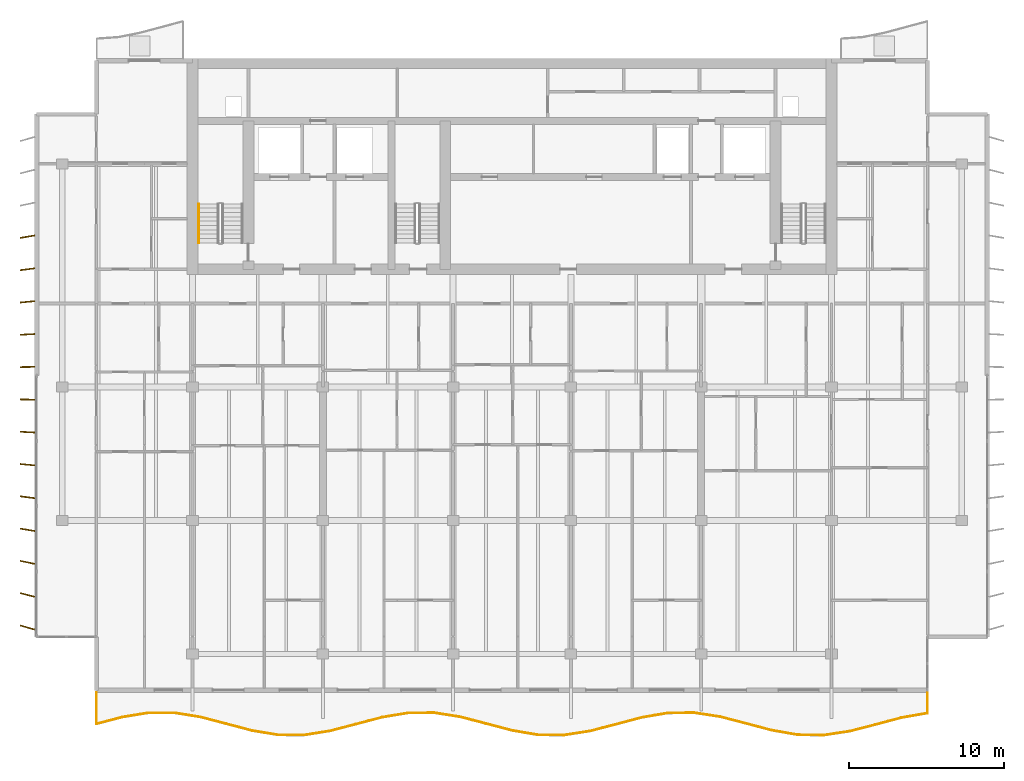
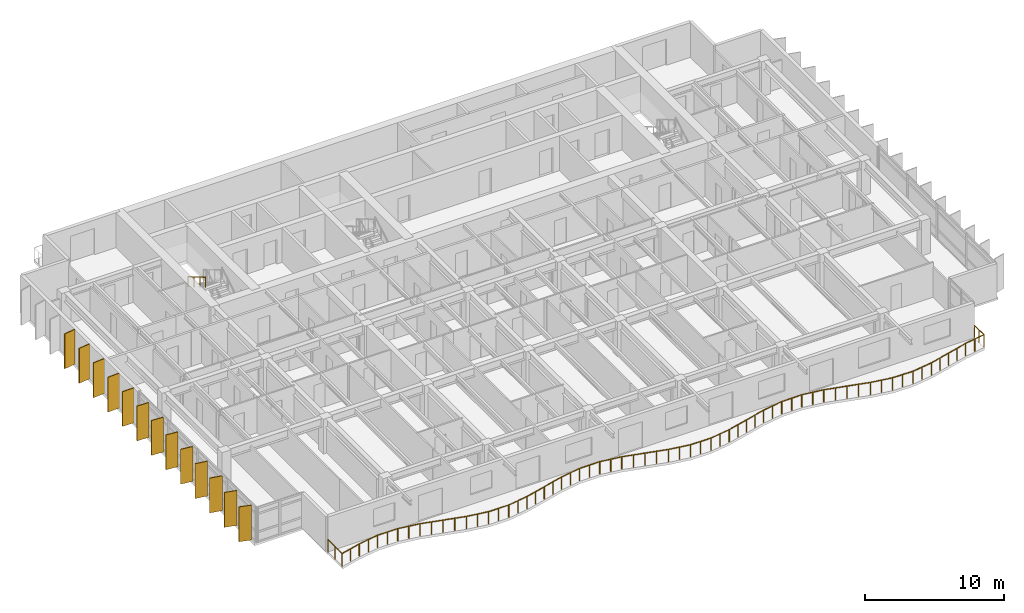
# One storey, part 13 of 17: 13 shading devices, 2 railings.
"""IFC4 building model written with IfcOpenShell, lengths in metres."""

from ifc_helpers import new_model, si_unit, direction, frame, origin, origin_2d, place, context, subcontext, project, spatial, rectangle, circle, extrude, material, material_profile, profile_set, type_object, element, save


model = new_model("IFC4")

# Units and contexts
model_context = context("Model", 3, precision=1e-05, world=origin(), true_north=direction((0.0, 1.0)))
body_context = subcontext(model_context, "Body", "Model", "MODEL_VIEW")
ifc_project = project(units=[si_unit("LENGTHUNIT", "METRE"), si_unit("AREAUNIT", "SQUARE_METRE"), si_unit("VOLUMEUNIT", "CUBIC_METRE"), si_unit("PLANEANGLEUNIT", "RADIAN"), si_unit("MASSUNIT", "GRAM", prefix="KILO")], contexts=[model_context])

# Site, building, storey
site_placement = place(None, origin())
site = spatial("IfcSite", under=ifc_project, at=site_placement, CompositionType="ELEMENT")
building_placement = place(site_placement, origin())
building = spatial("IfcBuilding", under=site, at=building_placement, Name="Caelmar Bay Residences", CompositionType="ELEMENT")
storey_placement = place(building_placement, frame((0.0, 0.0, 262.800048828125)))
storey = spatial("IfcBuildingStorey", under=building, at=storey_placement, Name="L74", CompositionType="ELEMENT", Elevation=262.800048828125)

# Railings
ifc_material_1 = material(Name="Anodised bronze handrail with laminated hurricane glass infill", Category="glass")
railing_type_1 = type_object("IfcRailingType", Name="RL-BAL-1100", PredefinedType="BALUSTRADE", material=ifc_material_1)
railing_1_placement = place(storey_placement, frame((12.10009765625, 9.699951171875, 0.0)))
element("IfcRailing", 1, at=railing_1_placement, inside=storey, type_object=railing_type_1, Name="L74 south Balcony Balustrade", PredefinedType="BALUSTRADE", context=body_context, shape_type="SweptSolid", body=[
    extrude(circle(Radius=0.02392578125, at=origin_2d()), frame((0.0, 0.0, 1.076171875), z_axis=(0.0, -1.0, 0.0), x_axis=(1.0, 0.0, 0.0)), (0.0, 0.0, 1.0), 2.02001953125),
    extrude(circle(Radius=0.02392578125, at=origin_2d()), frame((0.0, -2.02001953125, 1.076171875), z_axis=(0.967222308525, 0.253931104614, 0.0), x_axis=(-0.253931104614, 0.967222308525, 0.0)), (0.0, 0.0, 1.0), 1.7314453125),
    extrude(circle(Radius=0.02392578125, at=origin_2d()), frame((1.6748046875, -1.580322265625, 1.076171875), z_axis=(0.987005147608, 0.160688638665, 0.0), x_axis=(-0.160688638665, 0.987005147608, 0.0)), (0.0, 0.0, 1.0), 1.697021484375),
    extrude(circle(Radius=0.02392578125, at=origin_2d()), frame((3.349853515625, -1.3076171875, 1.076171875), z_axis=(0.999999139641, 0.001311761005, 0.0), x_axis=(-0.001311761005, 0.999999139641, 0.0)), (0.0, 0.0, 1.0), 1.675048828125),
    extrude(circle(Radius=0.02392578125, at=origin_2d()), frame((5.02490234375, -1.305419921875, 1.076171875), z_axis=(0.987345263102, -0.158585407366, 0.0), x_axis=(0.158585407366, 0.987345263102, 0.0)), (0.0, 0.0, 1.0), 1.696533203125),
    extrude(circle(Radius=0.02392578125, at=origin_2d()), frame((6.699951171875, -1.574462890625, 1.076171875), z_axis=(0.967404305386, -0.253236865249, 0.0), x_axis=(0.253236865249, 0.967404305386, 0.0)), (0.0, 0.0, 1.0), 1.7314453125),
    extrude(circle(Radius=0.02392578125, at=origin_2d()), frame((8.375, -2.012939453125, 1.076171875), z_axis=(0.967048968014, -0.2545904426, 0.0), x_axis=(0.2545904426, 0.967048968014, 0.0)), (0.0, 0.0, 1.0), 1.73193359375),
    extrude(circle(Radius=0.02392578125, at=origin_2d()), frame((10.0498046875, -2.453857421875, 1.076171875), z_axis=(0.98666079228, -0.162789683262, 0.0), x_axis=(0.162789683262, 0.98666079228, 0.0)), (0.0, 0.0, 1.0), 1.69775390625),
    extrude(circle(Radius=0.02392578125, at=origin_2d()), frame((11.724853515625, -2.730224609375, 1.076171875), z_axis=(0.999992819789, -0.003789507844, 0.0), x_axis=(0.003789507844, 0.999992819789, 0.0)), (0.0, 0.0, 1.0), 1.675048828125),
    extrude(circle(Radius=0.02392578125, at=origin_2d()), frame((13.39990234375, -2.736572265625, 1.076171875), z_axis=(0.987658866913, 0.156620441219, 0.0), x_axis=(-0.156620441219, 0.987658866913, 0.0)), (0.0, 0.0, 1.0), 1.696044921875),
    extrude(circle(Radius=0.02392578125, at=origin_2d()), frame((15.074951171875, -2.470947265625, 1.076171875), z_axis=(0.967611281442, 0.252444861359, 0.0), x_axis=(-0.252444861359, 0.967611281442, 0.0)), (0.0, 0.0, 1.0), 1.731201171875),
    extrude(circle(Radius=0.02392578125, at=origin_2d()), frame((16.75, -2.033935546875, 1.076171875), z_axis=(0.966840448599, 0.255381179717, 0.0), x_axis=(-0.255381179717, 0.966840448599, 0.0)), (0.0, 0.0, 1.0), 1.732177734375),
    extrude(circle(Radius=0.02392578125, at=origin_2d()), frame((18.4248046875, -1.591552734375, 1.076171875), z_axis=(0.986358932104, 0.164608800067, 0.0), x_axis=(-0.164608800067, 0.986358932104, 0.0)), (0.0, 0.0, 1.0), 1.6982421875),
    extrude(circle(Radius=0.02392578125, at=origin_2d()), frame((20.099853515625, -1.31201171875, 1.076171875), z_axis=(0.999979436969, 0.006412927449, 0.0), x_axis=(-0.006412927449, 0.999979436969, 0.0)), (0.0, 0.0, 1.0), 1.675048828125),
    extrude(circle(Radius=0.02392578125, at=origin_2d()), frame((21.77490234375, -1.30126953125, 1.076171875), z_axis=(0.987990746814, -0.154513055142, 0.0), x_axis=(0.154513055142, 0.987990746814, 0.0)), (0.0, 0.0, 1.0), 1.6953125),
    extrude(circle(Radius=0.02392578125, at=origin_2d()), frame((23.449951171875, -1.563232421875, 1.076171875), z_axis=(0.967783333474, -0.251784470231, 0.0), x_axis=(0.251784470231, 0.967783333474, 0.0)), (0.0, 0.0, 1.0), 1.730712890625),
    extrude(circle(Radius=0.02392578125, at=origin_2d()), frame((25.125, -1.9990234375, 1.076171875), z_axis=(0.966701126632, -0.255908053348, 0.0), x_axis=(0.255908053348, 0.966701126632, 0.0)), (0.0, 0.0, 1.0), 1.732421875),
    extrude(circle(Radius=0.02392578125, at=origin_2d()), frame((26.7998046875, -2.4423828125, 1.076171875), z_axis=(0.986006699447, -0.166705694703, 0.0), x_axis=(0.166705694703, 0.986006699447, 0.0)), (0.0, 0.0, 1.0), 1.69873046875),
    extrude(circle(Radius=0.02392578125, at=origin_2d()), frame((28.474853515625, -2.7255859375, 1.076171875), z_axis=(0.999959172579, -0.009036214648, 0.0), x_axis=(0.009036214648, 0.999959172579, 0.0)), (0.0, 0.0, 1.0), 1.675048828125),
    extrude(circle(Radius=0.02392578125, at=origin_2d()), frame((30.14990234375, -2.74072265625, 1.076171875), z_axis=(0.988274914927, 0.152684945317, 0.0), x_axis=(-0.152684945317, 0.988274914927, 0.0)), (0.0, 0.0, 1.0), 1.69482421875),
    extrude(circle(Radius=0.02392578125, at=origin_2d()), frame((31.824951171875, -2.48193359375, 1.076171875), z_axis=(0.968023551237, 0.250859331599, 0.0), x_axis=(-0.250859331599, 0.968023551237, 0.0)), (0.0, 0.0, 1.0), 1.73046875),
    extrude(circle(Radius=0.02392578125, at=origin_2d()), frame((33.5, -2.0478515625, 1.076171875), z_axis=(0.966526627148, 0.256566324787, 0.0), x_axis=(-0.256566324787, 0.966526627148, 0.0)), (0.0, 0.0, 1.0), 1.73291015625),
    extrude(circle(Radius=0.02392578125, at=origin_2d()), frame((35.1748046875, -1.603271484375, 1.076171875), z_axis=(0.985674159439, 0.168660758371, 0.0), x_axis=(-0.168660758371, 0.985674159439, 0.0)), (0.0, 0.0, 1.0), 1.699462890625),
    extrude(circle(Radius=0.02392578125, at=origin_2d()), frame((36.849853515625, -1.316650390625, 1.076171875), z_axis=(0.999933716388, 0.011513593295, 0.0), x_axis=(-0.011513593295, 0.999933716388, 0.0)), (0.0, 0.0, 1.0), 1.675048828125),
    extrude(circle(Radius=0.02392578125, at=origin_2d()), frame((38.52490234375, -1.29736328125, 1.076171875), z_axis=(0.988620234963, -0.150432812316, 0.0), x_axis=(0.150432812316, 0.988620234963, 0.0)), (0.0, 0.0, 1.0), 1.6943359375),
    extrude(circle(Radius=0.02392578125, at=origin_2d()), frame((40.199951171875, -1.55224609375, 1.076171875), z_axis=(0.968228842599, -0.250065808058, 0.0), x_axis=(0.250065808058, 0.968228842599, 0.0)), (0.0, 0.0, 1.0), 1.72998046875),
    extrude(circle(Radius=0.02392578125, at=origin_2d()), frame((41.875, -1.98486328125, 1.076171875), z_axis=(0.966351742726, -0.25722423939, 0.0), x_axis=(0.25722423939, 0.966351742726, 0.0)), (0.0, 0.0, 1.0), 1.733154296875),
    extrude(circle(Radius=0.02392578125, at=origin_2d()), frame((43.5498046875, -2.4306640625, 1.076171875), z_axis=(0.985337972393, -0.170613833436, 0.0), x_axis=(0.170613833436, 0.985337972393, 0.0)), (0.0, 0.0, 1.0), 1.699951171875),
    extrude(circle(Radius=0.02392578125, at=origin_2d()), frame((45.224853515625, -2.720703125, 1.076171875), z_axis=(0.999900075143, -0.01413646805, 0.0), x_axis=(0.01413646805, 0.999900075143, 0.0)), (0.0, 0.0, 1.0), 1.67529296875),
    extrude(circle(Radius=0.02392578125, at=origin_2d()), frame((46.89990234375, -2.744384765625, 1.076171875), z_axis=(0.988939524411, 0.148319307771, 0.0), x_axis=(-0.148319307771, 0.988939524411, 0.0)), (0.0, 0.0, 1.0), 1.69384765625),
    extrude(circle(Radius=0.02392578125, at=origin_2d()), frame((48.574951171875, -2.4931640625, 1.076171875), z_axis=(0.968433570022, 0.249271780303, 0.0), x_axis=(-0.249271780303, 0.968433570022, 0.0)), (0.0, 0.0, 1.0), 1.729736328125),
    extrude(circle(Radius=0.02392578125, at=origin_2d()), frame((50.25, -2.06201171875, 1.076171875), z_axis=(0.966176474063, 0.257881796503, 0.0), x_axis=(-0.257881796503, 0.966176474063, 0.0)), (0.0, 0.0, 1.0), 1.7333984375),
    extrude(circle(Radius=0.02392578125, at=origin_2d()), frame((51.9248046875, -1.614990234375, 1.076171875), z_axis=(0.985022543301, 0.172425604796, 0.0), x_axis=(-0.172425604796, 0.985022543301, 0.0)), (0.0, 0.0, 1.0), 1.700439453125),
    extrude(circle(Radius=0.02392578125, at=origin_2d()), frame((53.599853515625, -1.32177734375, 1.076171875), z_axis=(0.0, 1.0, 0.0), x_axis=(-1.0, 0.0, 0.0)), (0.0, 0.0, 1.0), 1.32177734375),
    extrude(circle(Radius=0.02099609375, at=origin_2d()), origin(), (0.0, 0.0, 1.0), 1.052001953125),
    extrude(circle(Radius=0.02099609375, at=origin_2d()), frame((0.0, -1.010009765625, 0.0)), (0.0, 0.0, 1.0), 1.052001953125),
    extrude(circle(Radius=0.02099609375, at=origin_2d()), frame((0.0, -2.02001953125, 0.0)), (0.0, 0.0, 1.0), 1.052001953125),
    extrude(circle(Radius=0.02099609375, at=origin_2d()), frame((0.83740234375, -1.80029296875, 0.0)), (0.0, 0.0, 1.0), 1.052001953125),
    extrude(circle(Radius=0.02099609375, at=origin_2d()), frame((1.6748046875, -1.580322265625, 0.0)), (0.0, 0.0, 1.0), 1.052001953125),
    extrude(circle(Radius=0.02099609375, at=origin_2d()), frame((2.51220703125, -1.44384765625, 0.0)), (0.0, 0.0, 1.0), 1.052001953125),
    extrude(circle(Radius=0.02099609375, at=origin_2d()), frame((3.349853515625, -1.3076171875, 0.0)), (0.0, 0.0, 1.0), 1.052001953125),
    extrude(circle(Radius=0.02099609375, at=origin_2d()), frame((4.1875, -1.306640625, 0.0)), (0.0, 0.0, 1.0), 1.052001953125),
    extrude(circle(Radius=0.02099609375, at=origin_2d()), frame((5.02490234375, -1.305419921875, 0.0)), (0.0, 0.0, 1.0), 1.052001953125),
    extrude(circle(Radius=0.02099609375, at=origin_2d()), frame((5.8623046875, -1.43994140625, 0.0)), (0.0, 0.0, 1.0), 1.052001953125),
    extrude(circle(Radius=0.02099609375, at=origin_2d()), frame((6.699951171875, -1.574462890625, 0.0)), (0.0, 0.0, 1.0), 1.052001953125),
    extrude(circle(Radius=0.02099609375, at=origin_2d()), frame((7.53759765625, -1.793701171875, 0.0)), (0.0, 0.0, 1.0), 1.052001953125),
    extrude(circle(Radius=0.02099609375, at=origin_2d()), frame((8.375, -2.012939453125, 0.0)), (0.0, 0.0, 1.0), 1.052001953125),
    extrude(circle(Radius=0.02099609375, at=origin_2d()), frame((9.21240234375, -2.2333984375, 0.0)), (0.0, 0.0, 1.0), 1.052001953125),
    extrude(circle(Radius=0.02099609375, at=origin_2d()), frame((10.0498046875, -2.453857421875, 0.0)), (0.0, 0.0, 1.0), 1.052001953125),
    extrude(circle(Radius=0.02099609375, at=origin_2d()), frame((10.88720703125, -2.592041015625, 0.0)), (0.0, 0.0, 1.0), 1.052001953125),
    extrude(circle(Radius=0.02099609375, at=origin_2d()), frame((11.724853515625, -2.730224609375, 0.0)), (0.0, 0.0, 1.0), 1.052001953125),
    extrude(circle(Radius=0.02099609375, at=origin_2d()), frame((12.5625, -2.7333984375, 0.0)), (0.0, 0.0, 1.0), 1.052001953125),
    extrude(circle(Radius=0.02099609375, at=origin_2d()), frame((13.39990234375, -2.736572265625, 0.0)), (0.0, 0.0, 1.0), 1.052001953125),
    extrude(circle(Radius=0.02099609375, at=origin_2d()), frame((14.2373046875, -2.603759765625, 0.0)), (0.0, 0.0, 1.0), 1.052001953125),
    extrude(circle(Radius=0.02099609375, at=origin_2d()), frame((15.074951171875, -2.470947265625, 0.0)), (0.0, 0.0, 1.0), 1.052001953125),
    extrude(circle(Radius=0.02099609375, at=origin_2d()), frame((15.91259765625, -2.25244140625, 0.0)), (0.0, 0.0, 1.0), 1.052001953125),
    extrude(circle(Radius=0.02099609375, at=origin_2d()), frame((16.75, -2.033935546875, 0.0)), (0.0, 0.0, 1.0), 1.052001953125),
    extrude(circle(Radius=0.02099609375, at=origin_2d()), frame((17.58740234375, -1.812744140625, 0.0)), (0.0, 0.0, 1.0), 1.052001953125),
    extrude(circle(Radius=0.02099609375, at=origin_2d()), frame((18.4248046875, -1.591552734375, 0.0)), (0.0, 0.0, 1.0), 1.052001953125),
    extrude(circle(Radius=0.02099609375, at=origin_2d()), frame((19.26220703125, -1.45166015625, 0.0)), (0.0, 0.0, 1.0), 1.052001953125),
    extrude(circle(Radius=0.02099609375, at=origin_2d()), frame((20.099853515625, -1.31201171875, 0.0)), (0.0, 0.0, 1.0), 1.052001953125),
    extrude(circle(Radius=0.02099609375, at=origin_2d()), frame((20.9375, -1.306640625, 0.0)), (0.0, 0.0, 1.0), 1.052001953125),
    extrude(circle(Radius=0.02099609375, at=origin_2d()), frame((21.77490234375, -1.30126953125, 0.0)), (0.0, 0.0, 1.0), 1.052001953125),
    extrude(circle(Radius=0.02099609375, at=origin_2d()), frame((22.6123046875, -1.43212890625, 0.0)), (0.0, 0.0, 1.0), 1.052001953125),
    extrude(circle(Radius=0.02099609375, at=origin_2d()), frame((23.449951171875, -1.563232421875, 0.0)), (0.0, 0.0, 1.0), 1.052001953125),
    extrude(circle(Radius=0.02099609375, at=origin_2d()), frame((24.28759765625, -1.78125, 0.0)), (0.0, 0.0, 1.0), 1.052001953125),
    extrude(circle(Radius=0.02099609375, at=origin_2d()), frame((25.125, -1.9990234375, 0.0)), (0.0, 0.0, 1.0), 1.052001953125),
    extrude(circle(Radius=0.02099609375, at=origin_2d()), frame((25.96240234375, -2.220703125, 0.0)), (0.0, 0.0, 1.0), 1.052001953125),
    extrude(circle(Radius=0.02099609375, at=origin_2d()), frame((26.7998046875, -2.4423828125, 0.0)), (0.0, 0.0, 1.0), 1.052001953125),
    extrude(circle(Radius=0.02099609375, at=origin_2d()), frame((27.63720703125, -2.583984375, 0.0)), (0.0, 0.0, 1.0), 1.052001953125),
    extrude(circle(Radius=0.02099609375, at=origin_2d()), frame((28.474853515625, -2.7255859375, 0.0)), (0.0, 0.0, 1.0), 1.052001953125),
    extrude(circle(Radius=0.02099609375, at=origin_2d()), frame((29.3125, -2.733154296875, 0.0)), (0.0, 0.0, 1.0), 1.052001953125),
    extrude(circle(Radius=0.02099609375, at=origin_2d()), frame((30.14990234375, -2.74072265625, 0.0)), (0.0, 0.0, 1.0), 1.052001953125),
    extrude(circle(Radius=0.02099609375, at=origin_2d()), frame((30.9873046875, -2.611328125, 0.0)), (0.0, 0.0, 1.0), 1.052001953125),
    extrude(circle(Radius=0.02099609375, at=origin_2d()), frame((31.824951171875, -2.48193359375, 0.0)), (0.0, 0.0, 1.0), 1.052001953125),
    extrude(circle(Radius=0.02099609375, at=origin_2d()), frame((32.66259765625, -2.264892578125, 0.0)), (0.0, 0.0, 1.0), 1.052001953125),
    extrude(circle(Radius=0.02099609375, at=origin_2d()), frame((33.5, -2.0478515625, 0.0)), (0.0, 0.0, 1.0), 1.052001953125),
    extrude(circle(Radius=0.02099609375, at=origin_2d()), frame((34.33740234375, -1.82568359375, 0.0)), (0.0, 0.0, 1.0), 1.052001953125),
    extrude(circle(Radius=0.02099609375, at=origin_2d()), frame((35.1748046875, -1.603271484375, 0.0)), (0.0, 0.0, 1.0), 1.052001953125),
    extrude(circle(Radius=0.02099609375, at=origin_2d()), frame((36.01220703125, -1.4599609375, 0.0)), (0.0, 0.0, 1.0), 1.052001953125),
    extrude(circle(Radius=0.02099609375, at=origin_2d()), frame((36.849853515625, -1.316650390625, 0.0)), (0.0, 0.0, 1.0), 1.052001953125),
    extrude(circle(Radius=0.02099609375, at=origin_2d()), frame((37.6875, -1.30712890625, 0.0)), (0.0, 0.0, 1.0), 1.052001953125),
    extrude(circle(Radius=0.02099609375, at=origin_2d()), frame((38.52490234375, -1.29736328125, 0.0)), (0.0, 0.0, 1.0), 1.052001953125),
    extrude(circle(Radius=0.02099609375, at=origin_2d()), frame((39.3623046875, -1.4248046875, 0.0)), (0.0, 0.0, 1.0), 1.052001953125),
    extrude(circle(Radius=0.02099609375, at=origin_2d()), frame((40.199951171875, -1.55224609375, 0.0)), (0.0, 0.0, 1.0), 1.052001953125),
    extrude(circle(Radius=0.02099609375, at=origin_2d()), frame((41.03759765625, -1.7685546875, 0.0)), (0.0, 0.0, 1.0), 1.052001953125),
    extrude(circle(Radius=0.02099609375, at=origin_2d()), frame((41.875, -1.98486328125, 0.0)), (0.0, 0.0, 1.0), 1.052001953125),
    extrude(circle(Radius=0.02099609375, at=origin_2d()), frame((42.71240234375, -2.207763671875, 0.0)), (0.0, 0.0, 1.0), 1.052001953125),
    extrude(circle(Radius=0.02099609375, at=origin_2d()), frame((43.5498046875, -2.4306640625, 0.0)), (0.0, 0.0, 1.0), 1.052001953125),
    extrude(circle(Radius=0.02099609375, at=origin_2d()), frame((44.38720703125, -2.57568359375, 0.0)), (0.0, 0.0, 1.0), 1.052001953125),
    extrude(circle(Radius=0.02099609375, at=origin_2d()), frame((45.224853515625, -2.720703125, 0.0)), (0.0, 0.0, 1.0), 1.052001953125),
    extrude(circle(Radius=0.02099609375, at=origin_2d()), frame((46.0625, -2.732421875, 0.0)), (0.0, 0.0, 1.0), 1.052001953125),
    extrude(circle(Radius=0.02099609375, at=origin_2d()), frame((46.89990234375, -2.744384765625, 0.0)), (0.0, 0.0, 1.0), 1.052001953125),
    extrude(circle(Radius=0.02099609375, at=origin_2d()), frame((47.7373046875, -2.61865234375, 0.0)), (0.0, 0.0, 1.0), 1.052001953125),
    extrude(circle(Radius=0.02099609375, at=origin_2d()), frame((48.574951171875, -2.4931640625, 0.0)), (0.0, 0.0, 1.0), 1.052001953125),
    extrude(circle(Radius=0.02099609375, at=origin_2d()), frame((49.41259765625, -2.277587890625, 0.0)), (0.0, 0.0, 1.0), 1.052001953125),
    extrude(circle(Radius=0.02099609375, at=origin_2d()), frame((50.25, -2.06201171875, 0.0)), (0.0, 0.0, 1.0), 1.052001953125),
    extrude(circle(Radius=0.02099609375, at=origin_2d()), frame((51.08740234375, -1.83837890625, 0.0)), (0.0, 0.0, 1.0), 1.052001953125),
    extrude(circle(Radius=0.02099609375, at=origin_2d()), frame((51.9248046875, -1.614990234375, 0.0)), (0.0, 0.0, 1.0), 1.052001953125),
    extrude(circle(Radius=0.02099609375, at=origin_2d()), frame((52.76220703125, -1.46826171875, 0.0)), (0.0, 0.0, 1.0), 1.052001953125),
    extrude(circle(Radius=0.02099609375, at=origin_2d()), frame((53.599853515625, -1.32177734375, 0.0)), (0.0, 0.0, 1.0), 1.052001953125),
    extrude(circle(Radius=0.02099609375, at=origin_2d()), frame((53.599853515625, -0.660888671875, 0.0)), (0.0, 0.0, 1.0), 1.052001953125),
    extrude(circle(Radius=0.02099609375, at=origin_2d()), frame((53.599853515625, 0.0, 0.0)), (0.0, 0.0, 1.0), 1.052001953125),
])
ifc_material_2 = material(Name="Brushed bronze stainless-steel tubular handrail 900 mm", Category="steel")
railing_type_2 = type_object("IfcRailingType", Name="RL-HND-900", PredefinedType="HANDRAIL", material=ifc_material_2)
railing_2_placement = place(storey_placement, frame((18.699951171875, 41.219970703125, 1.81494140625)))
element("IfcRailing", 2, at=railing_2_placement, inside=storey, type_object=railing_type_2, Name="L74 ST1 stair handrail 2", PredefinedType="HANDRAIL", context=body_context, shape_type="SweptSolid", body=[
    extrude(circle(Radius=0.02392578125, at=origin_2d()), frame((0.0, 0.0, 0.8759765625), z_axis=(0.0, -0.86152411907, 0.507716645641), x_axis=(1.0, 0.0, 0.0)), (0.0, 0.0, 1.0), 2.925048828125),
    extrude(circle(Radius=0.02099609375, at=origin_2d()), origin(), (0.0, 0.0, 1.0), 0.851806640625),
    extrude(circle(Radius=0.02099609375, at=origin_2d()), frame((0.0, -0.840087890625, 0.4951171875)), (0.0, 0.0, 1.0), 0.851806640625),
    extrude(circle(Radius=0.02099609375, at=origin_2d()), frame((0.0, -1.679931640625, 0.989990234375)), (0.0, 0.0, 1.0), 0.851806640625),
    extrude(circle(Radius=0.02099609375, at=origin_2d()), frame((0.0, -2.52001953125, 1.485107421875)), (0.0, 0.0, 1.0), 0.851806640625),
])

# Shading devices
ifc_material_3 = material(Name="Anodised architectural bronze aluminium 6063-T6", Category="aluminium")
ifc_material_profile = material_profile(ifc_material_3, rectangle(XDim=0.074951171875, YDim=0.949951171875, at=origin_2d()), Name="BRONZE-FIN-75X950")
ifc_profile_set = profile_set([ifc_material_profile], Name="Anodised architectural bronze aluminium 6063-T6")
shading_device_type = type_object("IfcShadingDeviceType", Name="SHD-FIN-950", PredefinedType="USERDEFINED", material=ifc_profile_set)
for number, where, z_axis, x_axis, name in (
    (3, (7.64990234375, 13.89990234375, 0.0), (0.0, 0.0, 1.0), (0.275637355817, 0.961261695938, 0.0), "L74 West Bronze Solar Fin 1"),
    (4, (7.64990234375, 16.0, 0.0), (0.0, 0.0, 1.0), (0.239719743609, 0.970842131618, 0.0), "L74 West Bronze Solar Fin 2"),
    (5, (7.64990234375, 18.10009765625, 0.0), (0.0, 0.0, 1.0), (0.2032999874, 0.979116497217, 0.0), "L74 West Bronze Solar Fin 3"),
    (6, (7.64990234375, 20.199951171875, 0.0), (0.0, 0.0, 1.0), (0.166768746716, 0.985996037071, 0.0), "L74 West Bronze Solar Fin 4"),
    (7, (7.64990234375, 22.300048828125, 0.0), (0.0, 0.0, 1.0), (0.130007055036, 0.99151306882, 0.0), "L74 West Bronze Solar Fin 5"),
    (8, (7.64990234375, 24.39990234375, 0.0), (0.0, 0.0, 1.0), (0.092891934994, 0.995676196569, 0.0), "L74 West Bronze Solar Fin 6"),
    (9, (7.64990234375, 26.5, 0.0), (0.0, 0.0, 1.0), (0.055821504993, 0.998440764182, 0.0), "L74 West Bronze Solar Fin 7"),
    (10, (7.64990234375, 28.60009765625, 0.0), (0.0, 0.0, 1.0), (0.018673937509, 0.999825626826, 0.0), "L74 West Bronze Solar Fin 8"),
    (11, (7.64990234375, 30.699951171875, 0.0), (0.0, 0.0, 1.0), (-0.018673937509, 0.999825626826, 0.0), "L74 West Bronze Solar Fin 9"),
    (12, (7.64990234375, 32.800048828125, 0.0), (0.0, 0.0, 1.0), (-0.055821504993, 0.998440764182, 0.0), "L74 West Bronze Solar Fin 10"),
    (13, (7.64990234375, 34.89990234375, 0.0), (0.0, 0.0, 1.0), (-0.092891934994, 0.995676196569, 0.0), "L74 West Bronze Solar Fin 11"),
    (14, (7.64990234375, 37.0, 0.0), (0.0, 0.0, 1.0), (-0.130007055036, 0.99151306882, 0.0), "L74 West Bronze Solar Fin 12"),
    (15, (7.64990234375, 39.10009765625, 0.0), (0.0, 0.0, 1.0), (-0.166768746716, 0.985996037071, 0.0), "L74 West Bronze Solar Fin 13"),
):
    element("IfcShadingDevice", number, at=place(storey_placement, frame(where, z_axis=z_axis, x_axis=x_axis)), inside=storey, type_object=shading_device_type, Name=name, ObjectType="FIN", PredefinedType="USERDEFINED", context=body_context, shape_type="SweptSolid", body=[
        extrude(rectangle(XDim=0.074951171875, YDim=0.949951171875, at=origin_2d()), origin(), (0.0, 0.0, 1.0), 3.050048828125),
    ])

save(model, "model.ifc")
